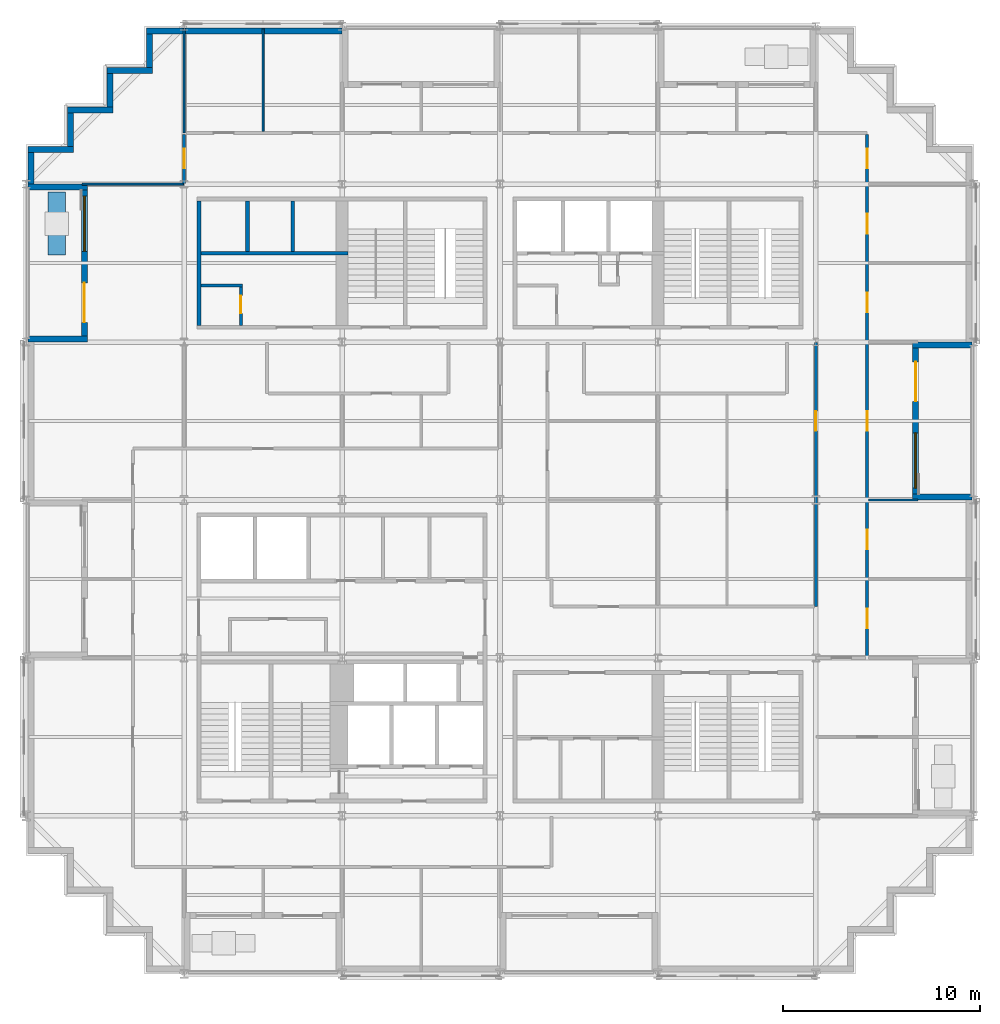
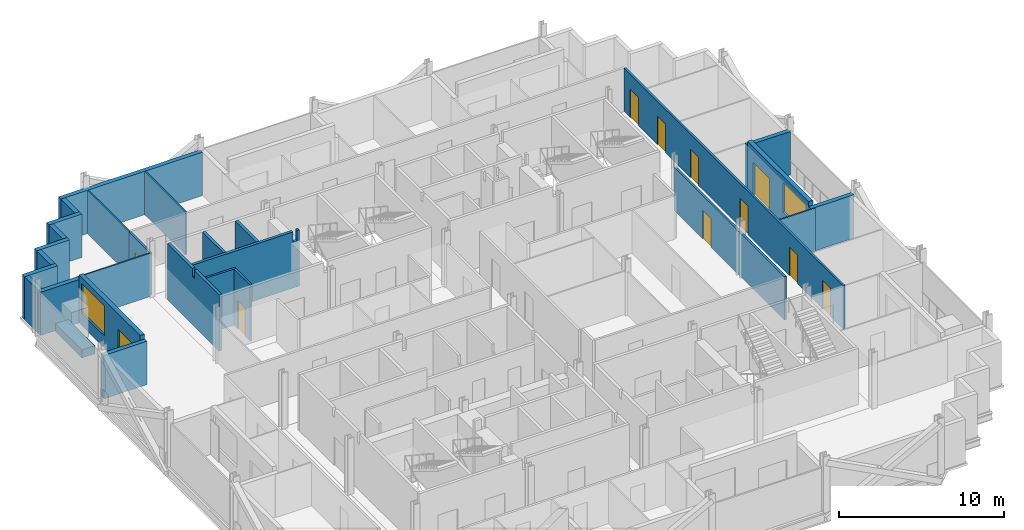
# One storey, part 9 of 15: 28 walls, 11 doors, 2 windows, 13 openings.
"""IFC4 building model written with IfcOpenShell, lengths in metres."""

from ifc_helpers import new_model, si_unit, direction, frame, frame_2d, origin, place, context, subcontext, project, spatial, polyline, rectangle, outline, extrude, material, layer, layer_set, type_object, element, fill, save


model = new_model("IFC4")

# Units and contexts
model_context = context("Model", 3, precision=1e-05, world=origin(), true_north=direction((0.0, 1.0)))
body_context = subcontext(model_context, "Body", "Model", "MODEL_VIEW")
ifc_project = project(units=[si_unit("LENGTHUNIT", "METRE"), si_unit("AREAUNIT", "SQUARE_METRE"), si_unit("VOLUMEUNIT", "CUBIC_METRE"), si_unit("PLANEANGLEUNIT", "RADIAN"), si_unit("MASSUNIT", "GRAM", prefix="KILO")], contexts=[model_context])

# Site, building, storey
site_placement = place(None, origin())
site = spatial("IfcSite", under=ifc_project, at=site_placement, CompositionType="ELEMENT")
building_placement = place(site_placement, origin())
building = spatial("IfcBuilding", under=site, at=building_placement, Name="Immortelle Media Tower", CompositionType="ELEMENT")
storey_placement = place(building_placement, frame((0.0, 0.0, 109.60009765625)))
storey = spatial("IfcBuildingStorey", under=building, at=storey_placement, Name="L21", CompositionType="ELEMENT", Elevation=109.60009765625)

# Wall
ifc_material_1 = material(Name="Fire-rated gypsum board", Category="gypsum")
ifc_layer_1 = layer(ifc_material_1, 0.02490234375)
ifc_material_2 = material(Name="Steel ASTM A653 SS Gr 50 stud frame with mineral wool", Category="steel")
ifc_layer_2 = layer(ifc_material_2, 0.10009765625)
ifc_layer_3 = layer(ifc_material_1, 0.02490234375)
ifc_layer_set_1 = layer_set([ifc_layer_1, ifc_layer_2, ifc_layer_3], Name="Steel ASTM A653 SS Gr 50 stud frame with mineral wool")
wall_type_1 = type_object("IfcWallType", Name="Core partition 150", PredefinedType="PARTITIONING", material=ifc_layer_set_1)
wall_1_placement = place(storey_placement, frame((8.85009765625, 34.875, 0.0), z_axis=(0.0, 0.0, 1.0), x_axis=(1.0, 0.0, 0.0)))
element("IfcWall", 1, at=wall_1_placement, inside=storey, type_object=wall_type_1, Name="Core partition NW", PredefinedType="PARTITIONING", context=body_context, shape_type="SweptSolid", body=[
    extrude(rectangle(XDim=2.099853515625, YDim=0.14990234375, at=frame_2d((1.0498046875, 0.0))), origin(), (0.0, 0.0, 1.0), 4.14990234375),
])

# Wall, opening, door
wall_2_placement = place(storey_placement, frame((10.875, 32.85009765625, 0.0), z_axis=(0.0, 0.0, 1.0), x_axis=(0.0, 1.0, 0.0)))
wall_2 = element("IfcWall", 2, at=wall_2_placement, inside=storey, type_object=wall_type_1, Name="Core partition NW", PredefinedType="PARTITIONING", context=body_context, shape_type="SweptSolid", body=[
    extrude(rectangle(XDim=1.949951171875, YDim=0.14990234375, at=frame_2d((0.97509765625, 0.0))), origin(), (0.0, 0.0, 1.0), 4.14990234375),
])
opening_1_placement = place(wall_2_placement, frame((0.60009765625, 0.0, 0.0)))
opening_1 = element("IfcOpeningElement", 3, at=opening_1_placement, cuts=wall_2, Name="Opening N7-K035", PredefinedType="OPENING", context=body_context, shape_type="SweptSolid", body=[
    extrude(rectangle(XDim=0.89990234375, YDim=2.10009765625, at=frame_2d((0.449951171875, 1.050048828125))), frame((0.0, 0.0849609375, 0.0), z_axis=(0.0, -1.0, 0.0), x_axis=(1.0, 0.0, 0.0)), (0.0, 0.0, 1.0), 0.169921875),
])
ifc_material_3 = material(Name="Galvanised steel door leaf and frame ASTM A653", Category="steel")
door_type_1 = type_object("IfcDoorType", Name="Service door 900 x 2100", OperationType="NOTDEFINED", PredefinedType="NOTDEFINED", material=ifc_material_3)
door_1_placement = place(opening_1_placement, origin())
door_1 = element("IfcDoor", 4, at=door_1_placement, inside=storey, type_object=door_type_1, Name="Service N7-K035", OperationType="SINGLE_SWING_LEFT", OverallHeight=2.10009765625, OverallWidth=0.89990234375, PredefinedType="NOTDEFINED", context=body_context, shape_type="SweptSolid", body=[
    extrude(rectangle(XDim=0.89990234375, YDim=2.10009765625, at=frame_2d((0.449951171875, 1.050048828125))), frame((0.0, 0.02490234375, 0.0), z_axis=(0.0, -1.0, 0.0), x_axis=(1.0, 0.0, 0.0)), (0.0, 0.0, 1.0), 0.050048828125),
])
fill(opening_1, door_1)

# Walls
ifc_layer_4 = layer(ifc_material_1, 0.03759765625)
ifc_layer_5 = layer(ifc_material_2, 0.125)
ifc_layer_6 = layer(ifc_material_1, 0.03759765625)
ifc_layer_set_2 = layer_set([ifc_layer_4, ifc_layer_5, ifc_layer_6], Name="Steel ASTM A653 SS Gr 50 stud frame with mineral wool")
wall_type_2 = type_object("IfcWallType", Name="Core shaft wall 200", PredefinedType="PARTITIONING", material=ifc_layer_set_2)
wall_3_placement = place(storey_placement, frame((8.75, 32.85009765625, 0.0), z_axis=(0.0, 0.0, 1.0), x_axis=(0.0, 1.0, 0.0)))
element("IfcWall", 5, at=wall_3_placement, inside=storey, type_object=wall_type_2, Name="Core shaft wall NW", PredefinedType="PARTITIONING", context=body_context, shape_type="SweptSolid", body=[
    extrude(outline(polyline([(0.0, 0.0), (6.2998046875, 0.0), (6.300048828125, 4.14990234375), (3.26904296875, 4.14990234375), (3.26806640625, 3.5419921875), (3.031982421875, 3.5419921875), (3.031005859375, 4.14990234375), (0.0, 4.14990234375), (0.0, 0.0)])), frame((0.0, 0.10009765625, 0.0), z_axis=(0.0, -1.0, 0.0), x_axis=(1.0, 0.0, 0.0)), (0.0, 0.0, 1.0), 0.199951171875),
])
wall_4_placement = place(storey_placement, frame((8.85009765625, 36.5, 0.0), z_axis=(0.0, 0.0, 1.0), x_axis=(1.0, 0.0, 0.0)))
element("IfcWall", 6, at=wall_4_placement, inside=storey, type_object=wall_type_2, Name="Core shaft wall NW", PredefinedType="PARTITIONING", context=body_context, shape_type="SweptSolid", body=[
    extrude(outline(polyline([(0.0, 0.0), (7.449951171875, 0.0), (7.449951171875, 4.14990234375), (7.28857421875, 4.14990234375), (7.28759765625, 3.3818359375), (7.012451171875, 3.3818359375), (7.011474609375, 4.14990234375), (0.0, 4.14990234375), (0.0, 0.0)])), frame((0.0, 0.10009765625, 0.0), z_axis=(0.0, -1.0, 0.0), x_axis=(1.0, 0.0, 0.0)), (0.0, 0.0, 1.0), 0.199951171875),
])
for number, where, z_axis, x_axis, name in (
    (7, (11.199951171875, 36.60009765625, 0.0), (0.0, 0.0, 1.0), (0.0, 1.0, 0.0), "Core shaft wall NW"),
    (8, (13.5, 36.60009765625, 0.0), (0.0, 0.0, 1.0), (0.0, 1.0, 0.0), "Core shaft wall NW"),
):
    element("IfcWall", number, at=place(storey_placement, frame(where, z_axis=z_axis, x_axis=x_axis)), inside=storey, type_object=wall_type_2, Name=name, PredefinedType="PARTITIONING", context=body_context, shape_type="SweptSolid", body=[
        extrude(rectangle(XDim=2.5498046875, YDim=0.199951171875, at=frame_2d((1.27490234375, 0.0))), origin(), (0.0, 0.0, 1.0), 4.14990234375),
    ])

# Wall, openings, doors
ifc_layer_7 = layer(ifc_material_1, 0.012451171875)
ifc_layer_8 = layer(ifc_material_2, 0.125)
ifc_layer_9 = layer(ifc_material_1, 0.012451171875)
ifc_layer_set_3 = layer_set([ifc_layer_7, ifc_layer_8, ifc_layer_9], Name="Steel ASTM A653 SS Gr 50 stud frame with mineral wool")
wall_type_3 = type_object("IfcWallType", Name="Corridor wall 150", PredefinedType="PARTITIONING", material=ifc_layer_set_3)
wall_5_placement = place(storey_placement, frame((42.60009765625, 16.0, 0.0), z_axis=(0.0, 0.0, 1.0), x_axis=(0.0, 1.0, 0.0)))
wall_5 = element("IfcWall", 9, at=wall_5_placement, inside=storey, type_object=wall_type_3, Name="Partition L21-014", PredefinedType="PARTITIONING", context=body_context, shape_type="SweptSolid", body=[
    extrude(rectangle(XDim=26.52490234375, YDim=0.14990234375, at=frame_2d((13.262451171875, 0.0))), origin(), (0.0, 0.0, 1.0), 3.19384765625),
])
opening_2_placement = place(wall_5_placement, frame((2.5, 0.0, 0.0), z_axis=(0.0, 0.0, 1.0), x_axis=(-1.0, 0.0, 0.0)))
opening_2 = element("IfcOpeningElement", 10, at=opening_2_placement, cuts=wall_5, Name="Opening N7-F011", PredefinedType="OPENING", context=body_context, shape_type="SweptSolid", body=[
    extrude(rectangle(XDim=1.0, YDim=2.10009765625, at=frame_2d((0.5, 1.050048828125))), frame((0.0, 0.0849609375, 0.0), z_axis=(0.0, -1.0, 0.0), x_axis=(1.0, 0.0, 0.0)), (0.0, 0.0, 1.0), 0.169921875),
])
opening_3_placement = place(wall_5_placement, frame((6.5, 0.0, 0.0), z_axis=(0.0, 0.0, 1.0), x_axis=(-1.0, 0.0, 0.0)))
opening_3 = element("IfcOpeningElement", 11, at=opening_3_placement, cuts=wall_5, Name="Opening N7-F012", PredefinedType="OPENING", context=body_context, shape_type="SweptSolid", body=[
    extrude(rectangle(XDim=1.0, YDim=2.10009765625, at=frame_2d((0.5, 1.050048828125))), frame((0.0, 0.0849609375, 0.0), z_axis=(0.0, -1.0, 0.0), x_axis=(1.0, 0.0, 0.0)), (0.0, 0.0, 1.0), 0.169921875),
])
opening_4_placement = place(wall_5_placement, frame((12.5, 0.0, 0.0), z_axis=(0.0, 0.0, 1.0), x_axis=(-1.0, 0.0, 0.0)))
opening_4 = element("IfcOpeningElement", 12, at=opening_4_placement, cuts=wall_5, Name="Opening N7-F018", PredefinedType="OPENING", context=body_context, shape_type="SweptSolid", body=[
    extrude(rectangle(XDim=1.0, YDim=2.10009765625, at=frame_2d((0.5, 1.050048828125))), frame((0.0, 0.0849609375, 0.0), z_axis=(0.0, -1.0, 0.0), x_axis=(1.0, 0.0, 0.0)), (0.0, 0.0, 1.0), 0.169921875),
])
opening_5_placement = place(wall_5_placement, frame((18.5, 0.0, 0.0), z_axis=(0.0, 0.0, 1.0), x_axis=(-1.0, 0.0, 0.0)))
opening_5 = element("IfcOpeningElement", 13, at=opening_5_placement, cuts=wall_5, Name="Opening N7-F023", PredefinedType="OPENING", context=body_context, shape_type="SweptSolid", body=[
    extrude(rectangle(XDim=1.0, YDim=2.10009765625, at=frame_2d((0.5, 1.050048828125))), frame((0.0, 0.0849609375, 0.0), z_axis=(0.0, -1.0, 0.0), x_axis=(1.0, 0.0, 0.0)), (0.0, 0.0, 1.0), 0.169921875),
])
opening_6_placement = place(wall_5_placement, frame((22.5, 0.0, 0.0), z_axis=(0.0, 0.0, 1.0), x_axis=(-1.0, 0.0, 0.0)))
opening_6 = element("IfcOpeningElement", 14, at=opening_6_placement, cuts=wall_5, Name="Opening N7-F024", PredefinedType="OPENING", context=body_context, shape_type="SweptSolid", body=[
    extrude(rectangle(XDim=1.0, YDim=2.10009765625, at=frame_2d((0.5, 1.050048828125))), frame((0.0, 0.0849609375, 0.0), z_axis=(0.0, -1.0, 0.0), x_axis=(1.0, 0.0, 0.0)), (0.0, 0.0, 1.0), 0.169921875),
])
opening_7_placement = place(wall_5_placement, frame((25.800048828125, 0.0, 0.0), z_axis=(0.0, 0.0, 1.0), x_axis=(-1.0, 0.0, 0.0)))
opening_7 = element("IfcOpeningElement", 15, at=opening_7_placement, cuts=wall_5, Name="Opening N7-F026", PredefinedType="OPENING", context=body_context, shape_type="SweptSolid", body=[
    extrude(rectangle(XDim=1.0, YDim=2.10009765625, at=frame_2d((0.5, 1.050048828125))), frame((0.0, 0.0849609375, 0.0), z_axis=(0.0, -1.0, 0.0), x_axis=(1.0, 0.0, 0.0)), (0.0, 0.0, 1.0), 0.169921875),
])
ifc_material_4 = material(Name="Timber veneered door leaf, galvanised steel frame ASTM A653", Category="steel")
door_type_2 = type_object("IfcDoorType", Name="Room door 1000 x 2100", OperationType="NOTDEFINED", PredefinedType="DOOR", material=ifc_material_4)
door_2_placement = place(opening_2_placement, origin())
door_2 = element("IfcDoor", 16, at=door_2_placement, inside=storey, type_object=door_type_2, Name="Door N7-F011", OperationType="SINGLE_SWING_LEFT", OverallHeight=2.10009765625, OverallWidth=1.0, PredefinedType="DOOR", context=body_context, shape_type="SweptSolid", body=[
    extrude(rectangle(XDim=1.0, YDim=2.10009765625, at=frame_2d((0.5, 1.050048828125))), frame((0.0, 0.02490234375, 0.0), z_axis=(0.0, -1.0, 0.0), x_axis=(1.0, 0.0, 0.0)), (0.0, 0.0, 1.0), 0.050048828125),
])
fill(opening_2, door_2)
door_3_placement = place(opening_3_placement, origin())
door_3 = element("IfcDoor", 17, at=door_3_placement, inside=storey, type_object=door_type_2, Name="Door N7-F012", OperationType="SINGLE_SWING_RIGHT", OverallHeight=2.10009765625, OverallWidth=1.0, PredefinedType="DOOR", context=body_context, shape_type="SweptSolid", body=[
    extrude(rectangle(XDim=1.0, YDim=2.10009765625, at=frame_2d((0.5, 1.050048828125))), frame((0.0, 0.02490234375, 0.0), z_axis=(0.0, -1.0, 0.0), x_axis=(1.0, 0.0, 0.0)), (0.0, 0.0, 1.0), 0.050048828125),
])
fill(opening_3, door_3)
door_4_placement = place(opening_4_placement, origin())
door_4 = element("IfcDoor", 18, at=door_4_placement, inside=storey, type_object=door_type_2, Name="Door N7-F018", OperationType="SINGLE_SWING_RIGHT", OverallHeight=2.10009765625, OverallWidth=1.0, PredefinedType="DOOR", context=body_context, shape_type="SweptSolid", body=[
    extrude(rectangle(XDim=1.0, YDim=2.10009765625, at=frame_2d((0.5, 1.050048828125))), frame((0.0, 0.02490234375, 0.0), z_axis=(0.0, -1.0, 0.0), x_axis=(1.0, 0.0, 0.0)), (0.0, 0.0, 1.0), 0.050048828125),
])
fill(opening_4, door_4)
door_5_placement = place(opening_5_placement, origin())
door_5 = element("IfcDoor", 19, at=door_5_placement, inside=storey, type_object=door_type_2, Name="Door N7-F023", OperationType="SINGLE_SWING_RIGHT", OverallHeight=2.10009765625, OverallWidth=1.0, PredefinedType="DOOR", context=body_context, shape_type="SweptSolid", body=[
    extrude(rectangle(XDim=1.0, YDim=2.10009765625, at=frame_2d((0.5, 1.050048828125))), frame((0.0, 0.02490234375, 0.0), z_axis=(0.0, -1.0, 0.0), x_axis=(1.0, 0.0, 0.0)), (0.0, 0.0, 1.0), 0.050048828125),
])
fill(opening_5, door_5)
door_6_placement = place(opening_6_placement, origin())
door_6 = element("IfcDoor", 20, at=door_6_placement, inside=storey, type_object=door_type_2, Name="Door N7-F024", OperationType="SINGLE_SWING_LEFT", OverallHeight=2.10009765625, OverallWidth=1.0, PredefinedType="DOOR", context=body_context, shape_type="SweptSolid", body=[
    extrude(rectangle(XDim=1.0, YDim=2.10009765625, at=frame_2d((0.5, 1.050048828125))), frame((0.0, 0.02490234375, 0.0), z_axis=(0.0, -1.0, 0.0), x_axis=(1.0, 0.0, 0.0)), (0.0, 0.0, 1.0), 0.050048828125),
])
fill(opening_6, door_6)
door_7_placement = place(opening_7_placement, origin())
door_7 = element("IfcDoor", 21, at=door_7_placement, inside=storey, type_object=door_type_2, Name="Door N7-F026", OperationType="SINGLE_SWING_RIGHT", OverallHeight=2.10009765625, OverallWidth=1.0, PredefinedType="DOOR", context=body_context, shape_type="SweptSolid", body=[
    extrude(rectangle(XDim=1.0, YDim=2.10009765625, at=frame_2d((0.5, 1.050048828125))), frame((0.0, 0.02490234375, 0.0), z_axis=(0.0, -1.0, 0.0), x_axis=(1.0, 0.0, 0.0)), (0.0, 0.0, 1.0), 0.050048828125),
])
fill(opening_7, door_7)

# Wall, opening, door
wall_6_placement = place(storey_placement, frame((40.0, 18.60009765625, 0.0), z_axis=(0.0, 0.0, 1.0), x_axis=(0.0, 1.0, 0.0)))
wall_6 = element("IfcWall", 22, at=wall_6_placement, inside=storey, type_object=wall_type_3, Name="Partition L21-019", PredefinedType="PARTITIONING", context=body_context, shape_type="SweptSolid", body=[
    extrude(rectangle(XDim=13.369873046875, YDim=0.14990234375, at=frame_2d((6.68505859375, 0.0))), origin(), (0.0, 0.0, 1.0), 3.19384765625),
])
opening_8_placement = place(wall_6_placement, frame((8.89990234375, 0.0, 0.0)))
opening_8 = element("IfcOpeningElement", 23, at=opening_8_placement, cuts=wall_6, Name="Opening N7-F014", PredefinedType="OPENING", context=body_context, shape_type="SweptSolid", body=[
    extrude(rectangle(XDim=1.0, YDim=2.10009765625, at=frame_2d((0.5, 1.050048828125))), frame((0.0, 0.0849609375, 0.0), z_axis=(0.0, -1.0, 0.0), x_axis=(1.0, 0.0, 0.0)), (0.0, 0.0, 1.0), 0.169921875),
])
door_8_placement = place(opening_8_placement, origin())
door_8 = element("IfcDoor", 24, at=door_8_placement, inside=storey, type_object=door_type_2, Name="Door N7-F014", OperationType="SINGLE_SWING_RIGHT", OverallHeight=2.10009765625, OverallWidth=1.0, PredefinedType="DOOR", context=body_context, shape_type="SweptSolid", body=[
    extrude(rectangle(XDim=1.0, YDim=2.10009765625, at=frame_2d((0.5, 1.050048828125))), frame((0.0, 0.02490234375, 0.0), z_axis=(0.0, -1.0, 0.0), x_axis=(1.0, 0.0, 0.0)), (0.0, 0.0, 1.0), 0.050048828125),
])
fill(opening_8, door_8)

wall_7_placement = place(storey_placement, frame((8.0, 40.030029296875, 0.0), z_axis=(0.0, 0.0, 1.0), x_axis=(0.0, 1.0, 0.0)))
wall_7 = element("IfcWall", 25, at=wall_7_placement, inside=storey, type_object=wall_type_3, Name="Partition L21-044", PredefinedType="PARTITIONING", context=body_context, shape_type="SweptSolid", body=[
    extrude(rectangle(XDim=2.494873046875, YDim=0.14990234375, at=frame_2d((1.24755859375, 0.0))), origin(), (0.0, 0.0, 1.0), 3.19384765625),
])
opening_9_placement = place(wall_7_placement, frame((0.77001953125, 0.0, 0.0)))
opening_9 = element("IfcOpeningElement", 26, at=opening_9_placement, cuts=wall_7, Name="Opening N7-F025", PredefinedType="OPENING", context=body_context, shape_type="SweptSolid", body=[
    extrude(rectangle(XDim=1.0, YDim=2.10009765625, at=frame_2d((0.5, 1.050048828125))), frame((0.0, 0.0849609375, 0.0), z_axis=(0.0, -1.0, 0.0), x_axis=(1.0, 0.0, 0.0)), (0.0, 0.0, 1.0), 0.169921875),
])
door_9_placement = place(opening_9_placement, origin())
door_9 = element("IfcDoor", 27, at=door_9_placement, inside=storey, type_object=door_type_2, Name="Door N7-F025", OperationType="SINGLE_SWING_LEFT", OverallHeight=2.10009765625, OverallWidth=1.0, PredefinedType="DOOR", context=body_context, shape_type="SweptSolid", body=[
    extrude(rectangle(XDim=1.0, YDim=2.10009765625, at=frame_2d((0.5, 1.050048828125))), frame((0.0, 0.02490234375, 0.0), z_axis=(0.0, -1.0, 0.0), x_axis=(1.0, 0.0, 0.0)), (0.0, 0.0, 1.0), 0.050048828125),
])
fill(opening_9, door_9)

# Wall
ifc_material_5 = material(Name="Pale aluminium cladding panel", Category="aluminium")
ifc_layer_10 = layer(ifc_material_5, 0.030029296875)
ifc_layer_11 = layer(ifc_material_2, 0.257568359375)
ifc_material_6 = material(Name="Moisture-resistant gypsum board", Category="gypsum")
ifc_layer_12 = layer(ifc_material_6, 0.012451171875)
ifc_layer_set_4 = layer_set([ifc_layer_10, ifc_layer_11, ifc_layer_12], Name="Steel ASTM A653 SS Gr 50 stud frame with mineral wool")
wall_type_4 = type_object("IfcWallType", Name="Facade wall 300", PredefinedType="SOLIDWALL", material=ifc_layer_set_4)
wall_8_placement = place(storey_placement, frame((0.25, 41.60009765625, 0.0), z_axis=(0.0, 0.0, 1.0), x_axis=(0.0, -1.0, 0.0)))
element("IfcWall", 28, at=wall_8_placement, inside=storey, type_object=wall_type_4, Name="Facade wall L21 W0", PredefinedType="SOLIDWALL", context=body_context, shape_type="SweptSolid", body=[
    extrude(rectangle(XDim=1.60009765625, YDim=0.300048828125, at=frame_2d((0.800048828125, 0.0))), origin(), (0.0, 0.0, 1.0), 3.198974609375),
])

# Wall, openings, door, window
wall_9_placement = place(storey_placement, frame((2.949951171875, 39.699951171875, 0.0), z_axis=(0.0, 0.0, 1.0), x_axis=(0.0, -1.0, 0.0)))
wall_9 = element("IfcWall", 29, at=wall_9_placement, inside=storey, type_object=wall_type_4, Name="Loggia wall L21 W0", PredefinedType="SOLIDWALL", context=body_context, shape_type="SweptSolid", body=[
    extrude(rectangle(XDim=7.39990234375, YDim=0.300048828125, at=frame_2d((3.699951171875, 0.0))), origin(), (0.0, 0.0, 1.0), 3.546875),
])
opening_10_placement = place(wall_9_placement, frame((0.300048828125, 0.0, 0.89990234375)))
opening_10 = element("IfcOpeningElement", 30, at=opening_10_placement, cuts=wall_9, Name="Opening W1", PredefinedType="OPENING", context=body_context, shape_type="SweptSolid", body=[
    extrude(rectangle(XDim=2.800048828125, YDim=2.199951171875, at=frame_2d((1.39990234375, 1.10009765625))), frame((0.0, 0.159912109375, 0.0), z_axis=(0.0, -1.0, 0.0), x_axis=(1.0, 0.0, 0.0)), (0.0, 0.0, 1.0), 0.320068359375),
])
opening_11_placement = place(wall_9_placement, frame((4.699951171875, 0.0, 0.0)))
opening_11 = element("IfcOpeningElement", 31, at=opening_11_placement, cuts=wall_9, Name="Opening N7-E001", PredefinedType="OPENING", context=body_context, shape_type="SweptSolid", body=[
    extrude(rectangle(XDim=2.0, YDim=2.39990234375, at=frame_2d((1.0, 1.199951171875))), frame((0.0, 0.159912109375, 0.0), z_axis=(0.0, -1.0, 0.0), x_axis=(1.0, 0.0, 0.0)), (0.0, 0.0, 1.0), 0.320068359375),
])
ifc_material_7 = material(Name="Aluminium frame, glazed leaves", Category="aluminium")
door_type_3 = type_object("IfcDoorType", Name="Loggia door 2000 x 2400", OperationType="DOUBLE_DOOR_SINGLE_SWING", PredefinedType="DOOR", material=ifc_material_7)
door_10_placement = place(opening_11_placement, origin())
door_10 = element("IfcDoor", 32, at=door_10_placement, inside=storey, type_object=door_type_3, Name="Door N7-E001", OperationType="DOUBLE_DOOR_SINGLE_SWING", OverallHeight=2.39990234375, OverallWidth=2.0, PredefinedType="DOOR", context=body_context, shape_type="SweptSolid", body=[
    extrude(rectangle(XDim=2.0, YDim=2.39990234375, at=frame_2d((1.0, 1.199951171875))), frame((0.0, 0.02490234375, 0.0), z_axis=(0.0, -1.0, 0.0), x_axis=(1.0, 0.0, 0.0)), (0.0, 0.0, 1.0), 0.050048828125),
])
fill(opening_11, door_10)
ifc_material_8 = material(Name="Aluminium frame", Category="aluminium")
window_type = type_object("IfcWindowType", Name="Window 2800 x 2200", PartitioningType="SINGLE_PANEL", PredefinedType="WINDOW", material=ifc_material_8)
window_1_placement = place(opening_10_placement, origin())
window_1 = element("IfcWindow", 33, at=window_1_placement, inside=storey, type_object=window_type, Name="Window L21 L21-R0-B0", OverallHeight=2.199951171875, OverallWidth=2.800048828125, PartitioningType="SINGLE_PANEL", PredefinedType="WINDOW", context=body_context, shape_type="SweptSolid", body=[
    extrude(rectangle(XDim=2.800048828125, YDim=2.199951171875, at=frame_2d((1.39990234375, 1.10009765625))), frame((0.0, 0.030029296875, 0.0), z_axis=(0.0, -1.0, 0.0), x_axis=(1.0, 0.0, 0.0)), (0.0, 0.0, 1.0), 0.06005859375),
])
fill(opening_10, window_1)

# Walls
for number, where, z_axis, x_axis, name in (
    (34, (0.10009765625, 39.85009765625, 0.0), (0.0, 0.0, 1.0), (1.0, 0.0, 0.0), "Loggia cheek wall L21 W"),
    (35, (0.10009765625, 32.14990234375, 0.0), (0.0, 0.0, 1.0), (1.0, 0.0, 0.0), "Loggia cheek wall L21 W"),
):
    element("IfcWall", number, at=place(storey_placement, frame(where, z_axis=z_axis, x_axis=x_axis)), inside=storey, type_object=wall_type_4, Name=name, PredefinedType="SOLIDWALL", context=body_context, shape_type="SweptSolid", body=[
        extrude(rectangle(XDim=3.0, YDim=0.300048828125, at=frame_2d((1.5, 0.0))), origin(), (0.0, 0.0, 1.0), 3.198974609375),
    ])

# Wall, openings, door, window
wall_10_placement = place(storey_placement, frame((45.050048828125, 24.300048828125, 0.0), z_axis=(0.0, 0.0, 1.0), x_axis=(0.0, 1.0, 0.0)))
wall_10 = element("IfcWall", 36, at=wall_10_placement, inside=storey, type_object=wall_type_4, Name="Loggia wall L21 E14", PredefinedType="SOLIDWALL", context=body_context, shape_type="SweptSolid", body=[
    extrude(rectangle(XDim=7.39990234375, YDim=0.300048828125, at=frame_2d((3.699951171875, 0.0))), origin(), (0.0, 0.0, 1.0), 3.546875),
])
opening_12_placement = place(wall_10_placement, frame((0.300048828125, 0.0, 0.89990234375)))
opening_12 = element("IfcOpeningElement", 37, at=opening_12_placement, cuts=wall_10, Name="Opening W1", PredefinedType="OPENING", context=body_context, shape_type="SweptSolid", body=[
    extrude(rectangle(XDim=2.800048828125, YDim=2.199951171875, at=frame_2d((1.39990234375, 1.10009765625))), frame((0.0, 0.159912109375, 0.0), z_axis=(0.0, -1.0, 0.0), x_axis=(1.0, 0.0, 0.0)), (0.0, 0.0, 1.0), 0.320068359375),
])
opening_13_placement = place(wall_10_placement, frame((4.699951171875, 0.0, 0.0)))
opening_13 = element("IfcOpeningElement", 38, at=opening_13_placement, cuts=wall_10, Name="Opening N7-E006", PredefinedType="OPENING", context=body_context, shape_type="SweptSolid", body=[
    extrude(rectangle(XDim=2.0, YDim=2.39990234375, at=frame_2d((1.0, 1.199951171875))), frame((0.0, 0.159912109375, 0.0), z_axis=(0.0, -1.0, 0.0), x_axis=(1.0, 0.0, 0.0)), (0.0, 0.0, 1.0), 0.320068359375),
])
door_11_placement = place(opening_13_placement, origin())
door_11 = element("IfcDoor", 39, at=door_11_placement, inside=storey, type_object=door_type_3, Name="Door N7-E006", OperationType="DOUBLE_DOOR_SINGLE_SWING", OverallHeight=2.39990234375, OverallWidth=2.0, PredefinedType="DOOR", context=body_context, shape_type="SweptSolid", body=[
    extrude(rectangle(XDim=2.0, YDim=2.39990234375, at=frame_2d((1.0, 1.199951171875))), frame((0.0, 0.02490234375, 0.0), z_axis=(0.0, -1.0, 0.0), x_axis=(1.0, 0.0, 0.0)), (0.0, 0.0, 1.0), 0.050048828125),
])
fill(opening_13, door_11)
window_2_placement = place(opening_12_placement, origin())
window_2 = element("IfcWindow", 40, at=window_2_placement, inside=storey, type_object=window_type, Name="Window L21 L21-R14-B2", OverallHeight=2.199951171875, OverallWidth=2.800048828125, PartitioningType="SINGLE_PANEL", PredefinedType="WINDOW", context=body_context, shape_type="SweptSolid", body=[
    extrude(rectangle(XDim=2.800048828125, YDim=2.199951171875, at=frame_2d((1.39990234375, 1.10009765625))), frame((0.0, 0.030029296875, 0.0), z_axis=(0.0, -1.0, 0.0), x_axis=(1.0, 0.0, 0.0)), (0.0, 0.0, 1.0), 0.06005859375),
])
fill(opening_12, window_2)

# Walls
for number, where, z_axis, x_axis, name in (
    (41, (47.89990234375, 24.14990234375, 0.0), (0.0, 0.0, 1.0), (-1.0, 0.0, 0.0), "Loggia cheek wall L21 E"),
    (42, (47.89990234375, 31.85009765625, 0.0), (0.0, 0.0, 1.0), (-1.0, 0.0, 0.0), "Loggia cheek wall L21 E"),
):
    element("IfcWall", number, at=place(storey_placement, frame(where, z_axis=z_axis, x_axis=x_axis)), inside=storey, type_object=wall_type_4, Name=name, PredefinedType="SOLIDWALL", context=body_context, shape_type="SweptSolid", body=[
        extrude(rectangle(XDim=3.0, YDim=0.300048828125, at=frame_2d((1.5, 0.0))), origin(), (0.0, 0.0, 1.0), 3.198974609375),
    ])
wall_11_placement = place(storey_placement, frame((16.0, 47.75, 0.0), z_axis=(0.0, 0.0, 1.0), x_axis=(-1.0, 0.0, 0.0)))
element("IfcWall", 43, at=wall_11_placement, inside=storey, type_object=wall_type_4, Name="Facade wall L21 N21", PredefinedType="SOLIDWALL", context=body_context, shape_type="SweptSolid", body=[
    extrude(rectangle(XDim=9.89990234375, YDim=0.300048828125, at=frame_2d((4.949951171875, 0.0))), origin(), (0.0, 0.0, 1.0), 3.198974609375),
])
wall_12_placement = place(storey_placement, frame((6.25, 47.60009765625, 0.0), z_axis=(0.0, 0.0, 1.0), x_axis=(0.0, -1.0, 0.0)))
element("IfcWall", 44, at=wall_12_placement, inside=storey, type_object=wall_type_4, Name="Facade wall L21 W22", PredefinedType="SOLIDWALL", context=body_context, shape_type="SweptSolid", body=[
    extrude(rectangle(XDim=1.7001953125, YDim=0.300048828125, at=frame_2d((0.85009765625, 0.0))), origin(), (0.0, 0.0, 1.0), 3.198974609375),
])
wall_13_placement = place(storey_placement, frame((6.39990234375, 45.75, 0.0), z_axis=(0.0, 0.0, 1.0), x_axis=(-1.0, 0.0, 0.0)))
element("IfcWall", 45, at=wall_13_placement, inside=storey, type_object=wall_type_4, Name="Facade wall L21 N23", PredefinedType="SOLIDWALL", context=body_context, shape_type="SweptSolid", body=[
    extrude(rectangle(XDim=2.2998046875, YDim=0.300048828125, at=frame_2d((1.14990234375, 0.0))), origin(), (0.0, 0.0, 1.0), 3.198974609375),
])
wall_14_placement = place(storey_placement, frame((4.25, 45.60009765625, 0.0), z_axis=(0.0, 0.0, 1.0), x_axis=(0.0, -1.0, 0.0)))
element("IfcWall", 46, at=wall_14_placement, inside=storey, type_object=wall_type_4, Name="Facade wall L21 W24", PredefinedType="SOLIDWALL", context=body_context, shape_type="SweptSolid", body=[
    extrude(rectangle(XDim=1.7001953125, YDim=0.300048828125, at=frame_2d((0.85009765625, 0.0))), origin(), (0.0, 0.0, 1.0), 3.198974609375),
])
wall_15_placement = place(storey_placement, frame((4.39990234375, 43.75, 0.0), z_axis=(0.0, 0.0, 1.0), x_axis=(-1.0, 0.0, 0.0)))
element("IfcWall", 47, at=wall_15_placement, inside=storey, type_object=wall_type_4, Name="Facade wall L21 N25", PredefinedType="SOLIDWALL", context=body_context, shape_type="SweptSolid", body=[
    extrude(rectangle(XDim=2.2998046875, YDim=0.300048828125, at=frame_2d((1.14990234375, 0.0))), origin(), (0.0, 0.0, 1.0), 3.198974609375),
])
wall_16_placement = place(storey_placement, frame((2.25, 43.60009765625, 0.0), z_axis=(0.0, 0.0, 1.0), x_axis=(0.0, -1.0, 0.0)))
element("IfcWall", 48, at=wall_16_placement, inside=storey, type_object=wall_type_4, Name="Facade wall L21 W26", PredefinedType="SOLIDWALL", context=body_context, shape_type="SweptSolid", body=[
    extrude(rectangle(XDim=1.7001953125, YDim=0.300048828125, at=frame_2d((0.85009765625, 0.0))), origin(), (0.0, 0.0, 1.0), 3.198974609375),
])
wall_17_placement = place(storey_placement, frame((2.39990234375, 41.75, 0.0), z_axis=(0.0, 0.0, 1.0), x_axis=(-1.0, 0.0, 0.0)))
element("IfcWall", 49, at=wall_17_placement, inside=storey, type_object=wall_type_4, Name="Facade wall L21 N27", PredefinedType="SOLIDWALL", context=body_context, shape_type="SweptSolid", body=[
    extrude(rectangle(XDim=2.2998046875, YDim=0.300048828125, at=frame_2d((1.14990234375, 0.0))), origin(), (0.0, 0.0, 1.0), 3.198974609375),
])
ifc_material_9 = material(Name="Gypsum board", Category="gypsum")
ifc_layer_13 = layer(ifc_material_9, 0.012451171875)
ifc_layer_14 = layer(ifc_material_2, 0.074951171875)
ifc_layer_15 = layer(ifc_material_9, 0.012451171875)
ifc_layer_set_5 = layer_set([ifc_layer_13, ifc_layer_14, ifc_layer_15], Name="Steel ASTM A653 SS Gr 50 stud frame with mineral wool")
wall_type_5 = type_object("IfcWallType", Name="Partition 100", PredefinedType="PARTITIONING", material=ifc_layer_set_5)
wall_18_placement = place(storey_placement, frame((42.675048828125, 24.0, 0.0), z_axis=(0.0, 0.0, 1.0), x_axis=(1.0, 0.0, 0.0)))
element("IfcWall", 50, at=wall_18_placement, inside=storey, type_object=wall_type_5, Name="Partition L21-026", PredefinedType="PARTITIONING", context=body_context, shape_type="SweptSolid", body=[
    extrude(rectangle(XDim=2.494873046875, YDim=0.10009765625, at=frame_2d((1.24755859375, 0.0))), origin(), (0.0, 0.0, 1.0), 3.19384765625),
])
wall_19_placement = place(storey_placement, frame((2.830078125, 40.0, 0.0), z_axis=(0.0, 0.0, 1.0), x_axis=(1.0, 0.0, 0.0)))
element("IfcWall", 51, at=wall_19_placement, inside=storey, type_object=wall_type_5, Name="Partition L21-042", PredefinedType="PARTITIONING", context=body_context, shape_type="SweptSolid", body=[
    extrude(rectangle(XDim=5.139892578125, YDim=0.10009765625, at=frame_2d((2.56982421875, 0.0))), origin(), (0.0, 0.0, 1.0), 3.19384765625),
])
wall_20_placement = place(storey_placement, frame((8.0, 42.60009765625, 0.0), z_axis=(0.0, 0.0, 1.0), x_axis=(0.0, 1.0, 0.0)))
element("IfcWall", 52, at=wall_20_placement, inside=storey, type_object=wall_type_5, Name="Partition L21-046", PredefinedType="PARTITIONING", context=body_context, shape_type="SweptSolid", body=[
    extrude(rectangle(XDim=5.27001953125, YDim=0.10009765625, at=frame_2d((2.635009765625, 0.0))), origin(), (0.0, 0.0, 1.0), 3.19384765625),
])
wall_21_placement = place(storey_placement, frame((12.0, 42.675048828125, 0.0), z_axis=(0.0, 0.0, 1.0), x_axis=(0.0, 1.0, 0.0)))
element("IfcWall", 53, at=wall_21_placement, inside=storey, type_object=wall_type_5, Name="Partition L21-047", PredefinedType="PARTITIONING", context=body_context, shape_type="SweptSolid", body=[
    extrude(rectangle(XDim=5.195068359375, YDim=0.10009765625, at=frame_2d((2.59765625, 0.0))), origin(), (0.0, 0.0, 1.0), 3.19384765625),
])
ifc_layer_16 = layer(ifc_material_5, 0.0029296875)
ifc_material_10 = material(Name="Steel ASTM A572 Gr 50 planter shell", Category="steel")
ifc_layer_17 = layer(ifc_material_10, 0.011962890625)
ifc_material_11 = material(Name="Planting substrate", Category="soil")
ifc_layer_18 = layer(ifc_material_11, 0.873046875)
ifc_layer_19 = layer(ifc_material_10, 0.011962890625)
ifc_layer_set_6 = layer_set([ifc_layer_16, ifc_layer_17, ifc_layer_18, ifc_layer_19], Name="Steel ASTM A572 Gr 50 planter shell")
wall_type_6 = type_object("IfcWallType", Name="Planter wall 900", PredefinedType="SOLIDWALL", material=ifc_layer_set_6)
wall_22_placement = place(storey_placement, frame((1.550048828125, 39.60009765625, 0.0), z_axis=(0.0, 0.0, 1.0), x_axis=(0.0, -1.0, 0.0)))
element("IfcWall", 54, at=wall_22_placement, inside=storey, type_object=wall_type_6, Name="Planter L21 W0", PredefinedType="SOLIDWALL", context=body_context, shape_type="SweptSolid", body=[
    extrude(rectangle(XDim=3.2001953125, YDim=0.89990234375, at=frame_2d((1.60009765625, 0.0))), origin(), (0.0, 0.0, 1.0), 0.599853515625),
])

save(model, "model.ifc")
